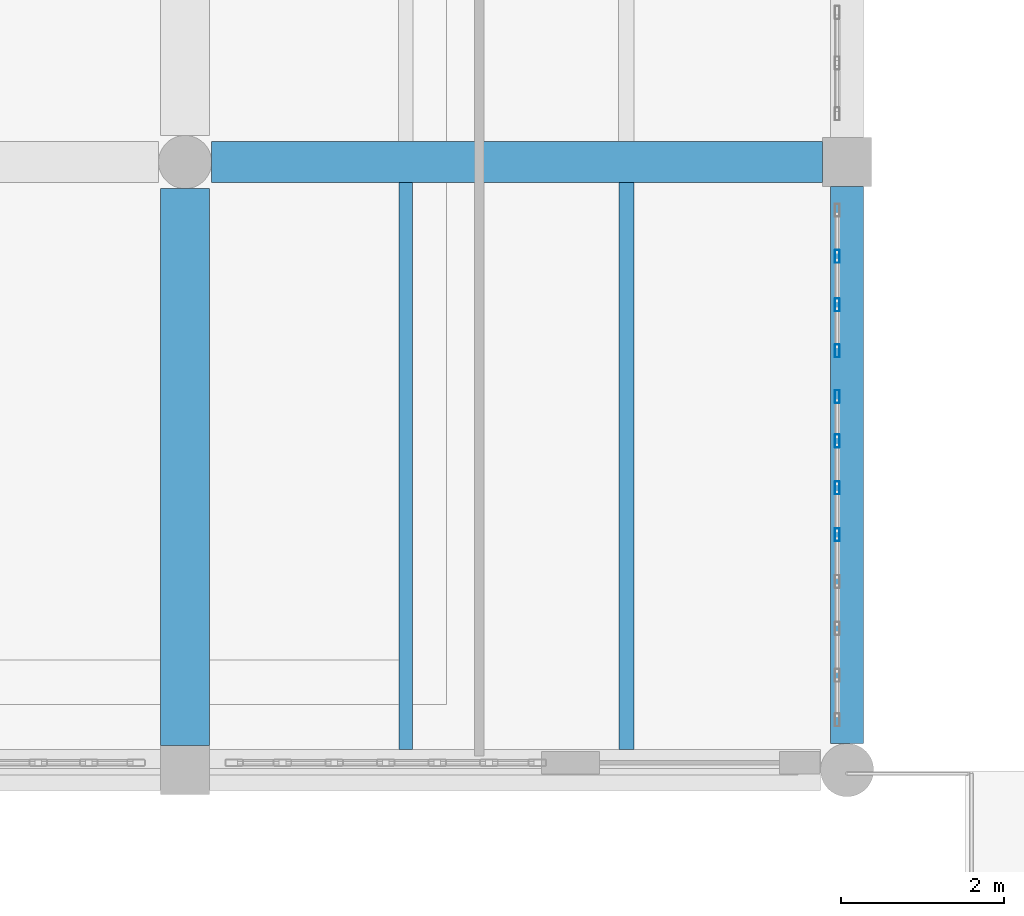
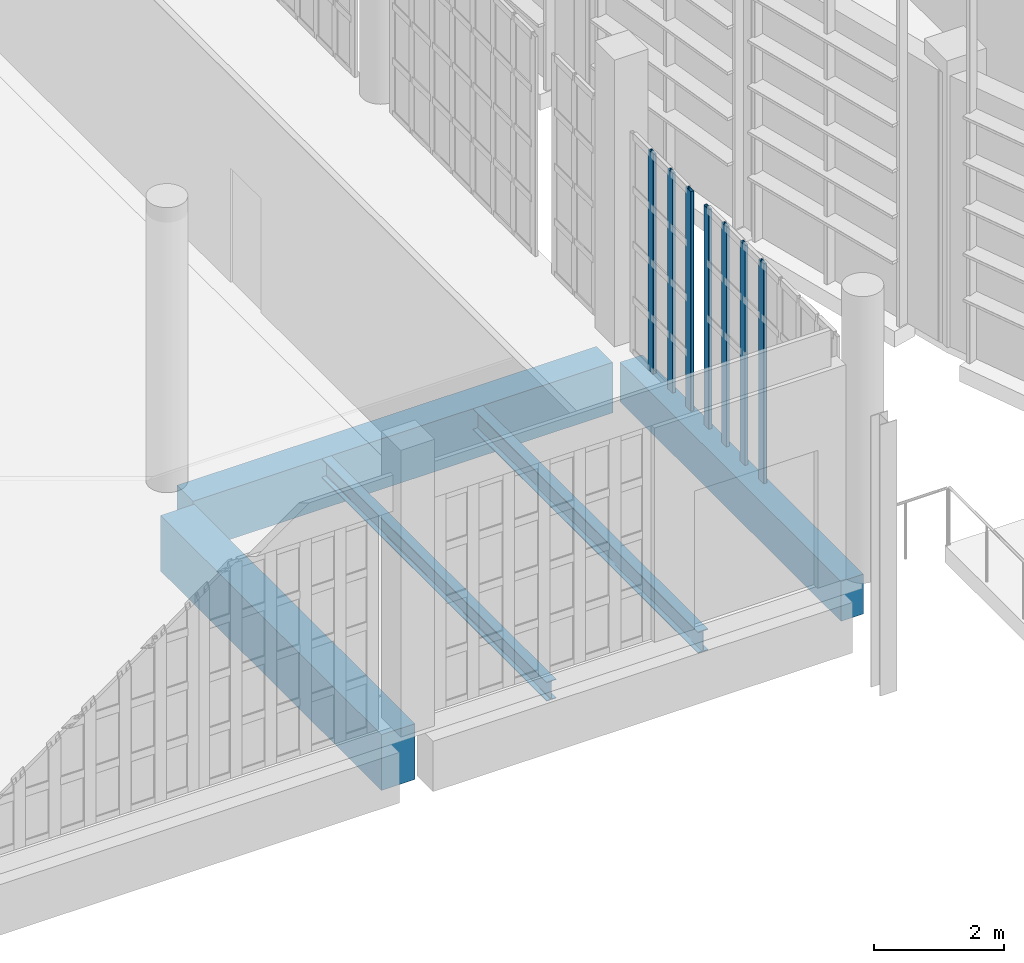
# One storey, part 167 of 372: 7 members, 5 beams, 2 elements without a shape of their own.
"""IFC4 building model written with IfcOpenShell, lengths in metres."""

from ifc_helpers import new_model, si_unit, direction, frame, origin, origin_2d, place, context, subcontext, project, spatial, rectangle, hollow_rectangle, i_section, extrude, material, material_profile, profile_set, type_object, element, aggregate, save


model = new_model("IFC4")

# Units and contexts
model_context = context("Model", 3, precision=1e-05, world=origin(), true_north=direction((0.0, 1.0)))
body_context = subcontext(model_context, "Body", "Model", "MODEL_VIEW")
ifc_project = project(units=[si_unit("LENGTHUNIT", "METRE"), si_unit("AREAUNIT", "SQUARE_METRE"), si_unit("VOLUMEUNIT", "CUBIC_METRE"), si_unit("PLANEANGLEUNIT", "RADIAN"), si_unit("MASSUNIT", "GRAM", prefix="KILO")], contexts=[model_context])

# Site, building, storey
site_placement = place(None, origin())
site = spatial("IfcSite", under=ifc_project, at=site_placement, CompositionType="ELEMENT")
building_placement = place(site_placement, origin())
building = spatial("IfcBuilding", under=site, at=building_placement, Name="Kaelora Sail Theatre", CompositionType="ELEMENT")
storey_placement = place(building_placement, origin())
storey = spatial("IfcBuildingStorey", under=building, at=storey_placement, Name="L00", CompositionType="ELEMENT", Elevation=0.0)

# Curtain wall, members
ifc_material_1 = material(Name="Anodised aluminium and solar-control low-E IGU", Category="aluminium")
curtain_wall_type = type_object("IfcCurtainWallType", Name="ARC-CW-CW-FOY1", PredefinedType="NOTDEFINED", material=ifc_material_1)
curtain_wall_1_placement = place(storey_placement, origin())
curtain_wall_1 = element("IfcCurtainWall", 1, at=curtain_wall_1_placement, inside=storey, type_object=curtain_wall_type, Name="West Interstitial Foyer East Glazed Return L00-01", PredefinedType="NOTDEFINED")
ifc_material_2 = material(Name="Anodised aluminium 6063-T6", Category="aluminium")
ifc_material_profile_1 = material_profile(ifc_material_2, hollow_rectangle(XDim=0.06005859375, YDim=0.159912109375, WallThickness=0.00390625, InnerFilletRadius=0.00390625, OuterFilletRadius=0.008056640625, at=origin_2d()), Name="ALU-MULL 60x160x4")
ifc_profile_set_1 = profile_set([ifc_material_profile_1], Name="Anodised aluminium 6063-T6")
member_type = type_object("IfcMemberType", Name="ARC-MEM-ML-160", PredefinedType="MULLION", material=ifc_profile_set_1)
member_1_placement = place(storey_placement, frame((74.280029296875, 41.579345703125, 0.0), z_axis=(0.0, 0.0, 1.0), x_axis=(-1.0, 0.0, 0.0)))
member_1 = element("IfcMember", 2, at=member_1_placement, type_object=member_type, Name="CW-FOY1 mullion 5", PredefinedType="MULLION", context=body_context, shape_type="SweptSolid", body=[
    extrude(hollow_rectangle(XDim=0.06005859375, YDim=0.159912109375, WallThickness=0.00390625, InnerFilletRadius=0.00390625, OuterFilletRadius=0.008056640625, at=origin_2d()), origin(), (0.0, 0.0, 1.0), 4.136962890625),
])
member_2_placement = place(storey_placement, frame((74.280029296875, 42.15283203125, 0.0), z_axis=(0.0, 0.0, 1.0), x_axis=(-1.0, 0.0, 0.0)))
member_2 = element("IfcMember", 3, at=member_2_placement, type_object=member_type, Name="CW-FOY1 mullion 6", PredefinedType="MULLION", context=body_context, shape_type="SweptSolid", body=[
    extrude(hollow_rectangle(XDim=0.06005859375, YDim=0.159912109375, WallThickness=0.00390625, InnerFilletRadius=0.00390625, OuterFilletRadius=0.008056640625, at=origin_2d()), origin(), (0.0, 0.0, 1.0), 4.136962890625),
])
member_3_placement = place(storey_placement, frame((74.280029296875, 42.726318359375, 0.0), z_axis=(0.0, 0.0, 1.0), x_axis=(-1.0, 0.0, 0.0)))
member_3 = element("IfcMember", 4, at=member_3_placement, type_object=member_type, Name="CW-FOY1 mullion 7", PredefinedType="MULLION", context=body_context, shape_type="SweptSolid", body=[
    extrude(hollow_rectangle(XDim=0.06005859375, YDim=0.159912109375, WallThickness=0.00390625, InnerFilletRadius=0.00390625, OuterFilletRadius=0.008056640625, at=origin_2d()), origin(), (0.0, 0.0, 1.0), 4.136962890625),
])
member_4_placement = place(storey_placement, frame((74.280029296875, 43.27001953125, 0.0), z_axis=(0.0, 0.0, 1.0), x_axis=(-1.0, 0.0, 0.0)))
member_4 = element("IfcMember", 5, at=member_4_placement, type_object=member_type, Name="CW-FOY1 mullion 8", PredefinedType="MULLION", context=body_context, shape_type="SweptSolid", body=[
    extrude(hollow_rectangle(XDim=0.06005859375, YDim=0.159912109375, WallThickness=0.00390625, InnerFilletRadius=0.00390625, OuterFilletRadius=0.008056640625, at=origin_2d()), origin(), (0.0, 0.0, 1.0), 4.136962890625),
])
aggregate(curtain_wall_1, [member_1, member_2, member_3, member_4])

curtain_wall_2_placement = place(storey_placement, origin())
curtain_wall_2 = element("IfcCurtainWall", 6, at=curtain_wall_2_placement, inside=storey, type_object=curtain_wall_type, Name="West Interstitial Foyer East Glazed Return L00-02", PredefinedType="NOTDEFINED")
member_5_placement = place(storey_placement, frame((74.280029296875, 43.830078125, 0.0), z_axis=(0.0, 0.0, 1.0), x_axis=(-1.0, 0.0, 0.0)))
member_5 = element("IfcMember", 7, at=member_5_placement, type_object=member_type, Name="CW-FOY1 mullion 1", PredefinedType="MULLION", context=body_context, shape_type="SweptSolid", body=[
    extrude(hollow_rectangle(XDim=0.06005859375, YDim=0.159912109375, WallThickness=0.00390625, InnerFilletRadius=0.00390625, OuterFilletRadius=0.008056640625, at=origin_2d()), origin(), (0.0, 0.0, 1.0), 4.136962890625),
])
member_6_placement = place(storey_placement, frame((74.280029296875, 44.393310546875, 0.0), z_axis=(0.0, 0.0, 1.0), x_axis=(-1.0, 0.0, 0.0)))
member_6 = element("IfcMember", 8, at=member_6_placement, type_object=member_type, Name="CW-FOY1 mullion 2", PredefinedType="MULLION", context=body_context, shape_type="SweptSolid", body=[
    extrude(hollow_rectangle(XDim=0.06005859375, YDim=0.159912109375, WallThickness=0.00390625, InnerFilletRadius=0.00390625, OuterFilletRadius=0.008056640625, at=origin_2d()), origin(), (0.0, 0.0, 1.0), 4.136962890625),
])
member_7_placement = place(storey_placement, frame((74.280029296875, 44.986572265625, 0.0), z_axis=(0.0, 0.0, 1.0), x_axis=(-1.0, 0.0, 0.0)))
member_7 = element("IfcMember", 9, at=member_7_placement, type_object=member_type, Name="CW-FOY1 mullion 3", PredefinedType="MULLION", context=body_context, shape_type="SweptSolid", body=[
    extrude(hollow_rectangle(XDim=0.06005859375, YDim=0.159912109375, WallThickness=0.00390625, InnerFilletRadius=0.00390625, OuterFilletRadius=0.008056640625, at=origin_2d()), origin(), (0.0, 0.0, 1.0), 4.136962890625),
])
aggregate(curtain_wall_2, [member_5, member_6, member_7])

# Beams
ifc_material_3 = material(Name="Concrete C40/50", Category="concrete")
ifc_material_profile_2 = material_profile(ifc_material_3, rectangle(XDim=0.39990234375, YDim=0.75, at=origin_2d()), Name="RC-BM 400x750")
ifc_profile_set_2 = profile_set([ifc_material_profile_2], Name="Concrete C40/50")
beam_type_1 = type_object("IfcBeamType", Name="STR-BM-BM-RC4075", PredefinedType="BEAM", material=ifc_profile_set_2)
beam_1_placement = place(storey_placement, frame((74.39990234375, 39.02490234375, -0.695068359375), z_axis=(0.0, 1.0, 0.0), x_axis=(-1.0, 0.0, 0.0)))
element("IfcBeam", 10, at=beam_1_placement, inside=storey, type_object=beam_type_1, Name="Primary beam 10 F-G (L00)", PredefinedType="BEAM", context=body_context, shape_type="SweptSolid", body=[
    extrude(rectangle(XDim=0.39990234375, YDim=0.75, at=origin_2d()), origin(), (0.0, 0.0, 1.0), 6.815185546875),
])
ifc_material_4 = material(Name="Concrete C45/55", Category="concrete")
ifc_material_profile_3 = material_profile(ifc_material_4, rectangle(XDim=0.5, YDim=0.949951171875, at=origin_2d()), Name="RC-GRD 500x950")
ifc_profile_set_3 = profile_set([ifc_material_profile_3], Name="Concrete C45/55")
beam_type_2 = type_object("IfcBeamType", Name="STR-BM-GR-RC5095", PredefinedType="T_BEAM", material=ifc_profile_set_3)
beam_2_placement = place(storey_placement, frame((66.625, 46.139892578125, -0.794921875), z_axis=(1.0, 0.0, 0.0), x_axis=(0.0, 1.0, 0.0)))
element("IfcBeam", 11, at=beam_2_placement, inside=storey, type_object=beam_type_2, Name="Primary beam G 9-10 (L00)", PredefinedType="T_BEAM", context=body_context, shape_type="SweptSolid", body=[
    extrude(rectangle(XDim=0.5, YDim=0.949951171875, at=origin_2d()), origin(), (0.0, 0.0, 1.0), 7.47509765625),
])
ifc_material_5 = material(Name="Concrete C50/60", Category="concrete")
ifc_material_profile_4 = material_profile(ifc_material_5, rectangle(XDim=0.60009765625, YDim=1.050048828125, at=origin_2d()), Name="RC-GRD 600x1050")
ifc_profile_set_4 = profile_set([ifc_material_profile_4], Name="Concrete C50/60")
beam_type_3 = type_object("IfcBeamType", Name="STR-BM-GR-RC6105", PredefinedType="T_BEAM", material=ifc_profile_set_4)
beam_3_placement = place(storey_placement, frame((66.300048828125, 39.0, -0.844970703125), z_axis=(0.0, 1.0, 0.0), x_axis=(-1.0, 0.0, 0.0)))
element("IfcBeam", 12, at=beam_3_placement, inside=storey, type_object=beam_type_3, Name="Primary beam 9 F-G (L00)", PredefinedType="T_BEAM", context=body_context, shape_type="SweptSolid", body=[
    extrude(rectangle(XDim=0.60009765625, YDim=1.050048828125, at=origin_2d()), origin(), (0.0, 0.0, 1.0), 6.81494140625),
])
ifc_material_6 = material(Name="Steel S355", Category="steel")
ifc_material_profile_5 = material_profile(ifc_material_6, i_section(OverallWidth=0.169921875, OverallDepth=0.360107421875, WebThickness=0.008056640625, FlangeThickness=0.0126953125, FilletRadius=0.01806640625, at=origin_2d()), Name="IPE 360")
ifc_profile_set_5 = profile_set([ifc_material_profile_5], Name="Steel S355")
beam_type_4 = type_object("IfcBeamType", Name="STR-BM-JS-IPE360", PredefinedType="JOIST", material=ifc_profile_set_5)
beam_4_placement = place(storey_placement, frame((69.0, 38.949951171875, -0.5), z_axis=(0.0, 1.0, 0.0), x_axis=(-1.0, 0.0, 0.0)))
element("IfcBeam", 13, at=beam_4_placement, inside=storey, type_object=beam_type_4, Name="Secondary floor joist 9/F-1 (L00)", PredefinedType="JOIST", context=body_context, shape_type="SweptSolid", body=[
    extrude(i_section(OverallWidth=0.169921875, OverallDepth=0.360107421875, WebThickness=0.008056640625, FlangeThickness=0.0126953125, FilletRadius=0.01806640625, at=origin_2d()), origin(), (0.0, 0.0, 1.0), 6.93994140625),
])
ifc_material_7 = material(Name="Steel S355", Category="steel")
ifc_material_profile_6 = material_profile(ifc_material_7, i_section(OverallWidth=0.179931640625, OverallDepth=0.39990234375, WebThickness=0.008544921875, FlangeThickness=0.013427734375, FilletRadius=0.02099609375, at=origin_2d()), Name="IPE 400")
ifc_profile_set_6 = profile_set([ifc_material_profile_6], Name="Steel S355")
beam_type_5 = type_object("IfcBeamType", Name="STR-BM-JS-IPE400", PredefinedType="JOIST", material=ifc_profile_set_6)
beam_5_placement = place(storey_placement, frame((71.699951171875, 38.949951171875, -0.52001953125), z_axis=(0.0, 1.0, 0.0), x_axis=(-1.0, 0.0, 0.0)))
element("IfcBeam", 14, at=beam_5_placement, inside=storey, type_object=beam_type_5, Name="Secondary floor joist 9/F-2 (L00)", PredefinedType="JOIST", context=body_context, shape_type="SweptSolid", body=[
    extrude(i_section(OverallWidth=0.179931640625, OverallDepth=0.39990234375, WebThickness=0.008544921875, FlangeThickness=0.013427734375, FilletRadius=0.02099609375, at=origin_2d()), origin(), (0.0, 0.0, 1.0), 6.93994140625),
])

save(model, "model.ifc")
